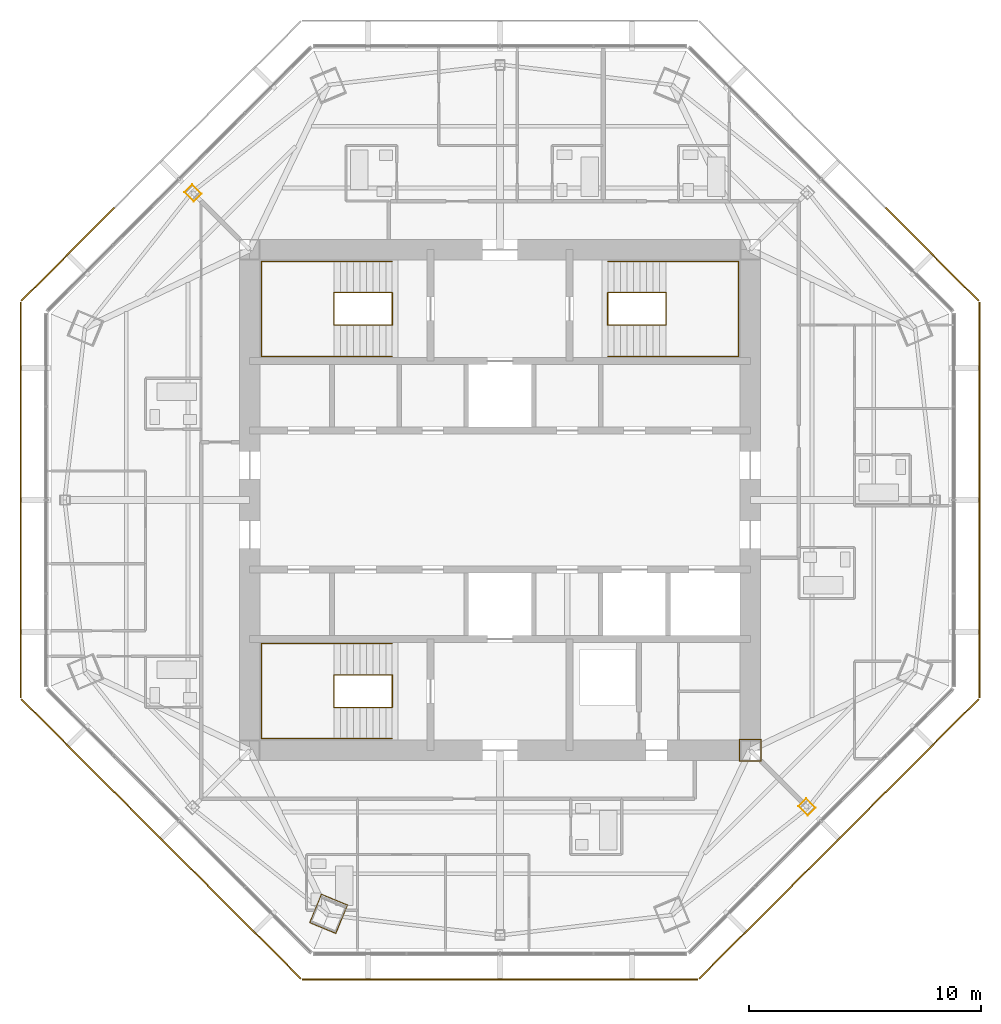
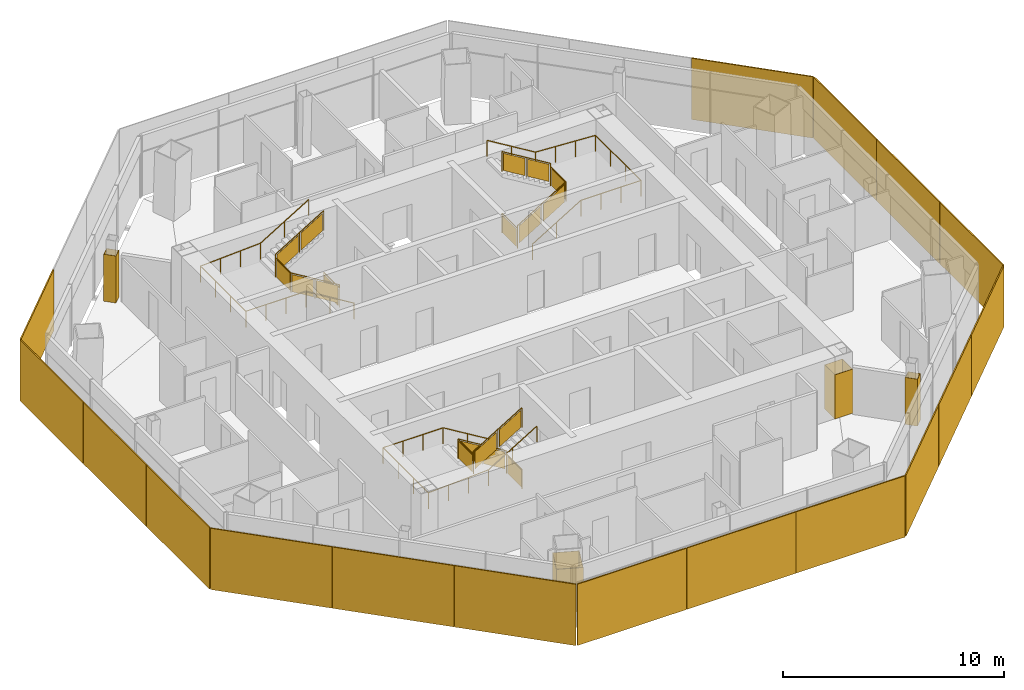
# One storey, part 13 of 15: 17 shading devices, 6 railings, 4 coverings.
"""IFC4 building model written with IfcOpenShell, lengths in metres."""

import ifcopenshell
import ifcopenshell.guid

model = None  # the IFC model being written
_history = None  # IfcOwnerHistory: only IFC2X3 demands one
_inside = {}  # id of a spatial element -> (the spatial element, [elements in it])
_under = {}  # id of a project, library or spatial element -> (it, [spatial elements below it])
_declared = {}  # id of a project -> (the project, [libraries it declares])
_typed = {}  # id of a type object -> (the type object, [elements of that type])
_made_of = {}  # id of a material, layer set ... -> (it, [elements and type objects made of it])


def new_model(schema):
    """Start an empty IFC model of exactly this schema.

    Asked for "IFC4X3", IfcOpenShell would pick the latest addendum, in which some entities
    have other attributes; the version numbers below select the first issue.
    IFC2X3 requires an IfcOwnerHistory on every rooted entity: one is made here for all.
    """
    global model, _history
    if schema == "IFC4X3":
        model = ifcopenshell.file(schema_version=(4, 3, 0, 0))
    else:
        model = ifcopenshell.file(schema=schema)
    _inside.clear()
    _under.clear()
    _declared.clear()
    _typed.clear()
    _made_of.clear()
    _history = None
    if model.schema == "IFC2X3":
        org = make("IfcOrganization", Name="unknown")
        user = make(
            "IfcPersonAndOrganization",
            ThePerson=make("IfcPerson", FamilyName="unknown"),
            TheOrganization=org,
        )
        app = make(
            "IfcApplication",
            ApplicationDeveloper=org,
            Version="unknown",
            ApplicationFullName="unknown",
            ApplicationIdentifier="unknown",
        )
        _history = make(
            "IfcOwnerHistory",
            OwningUser=user,
            OwningApplication=app,
            ChangeAction="ADDED",
            CreationDate=0,
        )
    return model


def make(cls, **values):
    """One entity of the class cls with the attributes given. An attribute that is None is left unset."""
    return model.create_entity(
        cls, **{name: value for name, value in values.items() if value is not None}
    )


def rooted(cls, **values):
    """An entity with a GlobalId (a new one), such as an element, a storey or a relation."""
    return make(cls, GlobalId=ifcopenshell.guid.new(), OwnerHistory=_history, **values)


def si_unit(unit_type, name, prefix=None):
    """IfcSIUnit, for example si_unit("LENGTHUNIT", "METRE", prefix="MILLI")."""
    return make("IfcSIUnit", UnitType=unit_type, Prefix=prefix, Name=name)


def assignment(units):
    """IfcUnitAssignment: the units of a project."""
    return None if units is None else make("IfcUnitAssignment", Units=units)


def point(xyz):
    """IfcCartesianPoint."""
    return None if xyz is None else make("IfcCartesianPoint", Coordinates=xyz)


def direction(xyz):
    """IfcDirection."""
    return None if xyz is None else make("IfcDirection", DirectionRatios=xyz)


def frame(location, z_axis=None, x_axis=None):
    """IfcAxis2Placement3D, a coordinate frame: its origin and axes. An axis left out is left unset."""
    return make(
        "IfcAxis2Placement3D",
        Location=point(location),
        Axis=direction(z_axis),
        RefDirection=direction(x_axis),
    )


def frame_2d(location, x_axis=None):
    """IfcAxis2Placement2D, a coordinate frame in the plane: its origin and x axis."""
    return make(
        "IfcAxis2Placement2D", Location=point(location), RefDirection=direction(x_axis)
    )


def origin():
    """The frame at (0, 0, 0) with its axes left unset."""
    return frame((0.0, 0.0, 0.0))


def origin_2d():
    """The frame at (0, 0) in the plane with its x axis left unset."""
    return frame_2d((0.0, 0.0))


def place(relative_to, where):
    """IfcLocalPlacement: puts the frame where relative to a parent placement (None: the world)."""
    return make(
        "IfcLocalPlacement", PlacementRelTo=relative_to, RelativePlacement=where
    )


def context(
    kind, dimensions, precision=None, world=None, true_north=None, identifier=None
):
    """IfcGeometricRepresentationContext, for example the 3D "Model" context."""
    return make(
        "IfcGeometricRepresentationContext",
        ContextIdentifier=identifier,
        ContextType=kind,
        CoordinateSpaceDimension=dimensions,
        Precision=precision,
        WorldCoordinateSystem=world,
        TrueNorth=true_north,
    )


def subcontext(parent, identifier, kind, view, scale=None):
    """IfcGeometricRepresentationSubContext, for example "Body" below "Model"."""
    return make(
        "IfcGeometricRepresentationSubContext",
        ContextIdentifier=identifier,
        ContextType=kind,
        ParentContext=parent,
        TargetScale=scale,
        TargetView=view,
    )


def project(units=None, contexts=None):
    """IfcProject with its units and contexts."""
    return rooted(
        "IfcProject",
        Name="project",
        RepresentationContexts=contexts,
        UnitsInContext=assignment(units),
    )


def spatial(cls, under=None, at=None, **own):
    """A site, building, storey or space (cls), placed at a placement, below another one or the project."""
    s = rooted(cls, ObjectPlacement=at, **own)
    if under is not None:
        _under.setdefault(under.id(), (under, []))[1].append(s)
    return s


def polyline(points):
    """IfcPolyline through the points."""
    return make("IfcPolyline", Points=[point(p) for p in points])


def profile(cls, at=None, kind="AREA", **sizes):
    """A parametric profile (cls). Its sizes go by their IFC names, for example OverallWidth=200.0."""
    return make(cls, ProfileType=kind, Position=at, **sizes)


def rectangle(**sizes):
    """IfcRectangleProfileDef."""
    return profile("IfcRectangleProfileDef", **sizes)


def circle(**sizes):
    """IfcCircleProfileDef."""
    return profile("IfcCircleProfileDef", **sizes)


def outline(outer, holes=None, kind="AREA"):
    """IfcArbitraryClosedProfileDef: a profile drawn as a closed curve; with holes, ...WithVoids."""
    if holes is None:
        return make("IfcArbitraryClosedProfileDef", ProfileType=kind, OuterCurve=outer)
    return make(
        "IfcArbitraryProfileDefWithVoids",
        ProfileType=kind,
        OuterCurve=outer,
        InnerCurves=holes,
    )


def extrude(swept, where, along, depth):
    """IfcExtrudedAreaSolid: the profile swept, set in the frame where, extruded along a direction by depth."""
    return make(
        "IfcExtrudedAreaSolid",
        SweptArea=swept,
        Position=where,
        ExtrudedDirection=direction(along),
        Depth=depth,
    )


def shape(context_of_items, identifier, shape_type, items):
    """IfcShapeRepresentation: the items that make up one representation, for example the "Body"."""
    return make(
        "IfcShapeRepresentation",
        ContextOfItems=context_of_items,
        RepresentationIdentifier=identifier,
        RepresentationType=shape_type,
        Items=items,
    )


def source(mapping_origin, context_of_items, identifier, shape_type, items):
    """IfcRepresentationMap: a shape defined once, which mapped items show again and again."""
    return make(
        "IfcRepresentationMap",
        MappingOrigin=mapping_origin,
        MappedRepresentation=shape(context_of_items, identifier, shape_type, items),
    )


def transform(
    local_origin,
    x_axis=None,
    y_axis=None,
    z_axis=None,
    scale=None,
    scale2=None,
    scale3=None,
    uniform=True,
):
    """IfcCartesianTransformationOperator3D, or its non-uniform kind. x_axis, y_axis, z_axis: its Axis1, 2, 3."""
    if uniform:
        return make(
            "IfcCartesianTransformationOperator3D",
            Axis1=direction(x_axis),
            Axis2=direction(y_axis),
            LocalOrigin=point(local_origin),
            Scale=scale,
            Axis3=direction(z_axis),
        )
    return make(
        "IfcCartesianTransformationOperator3DnonUniform",
        Axis1=direction(x_axis),
        Axis2=direction(y_axis),
        LocalOrigin=point(local_origin),
        Scale=scale,
        Axis3=direction(z_axis),
        Scale2=scale2,
        Scale3=scale3,
    )


def mapped(mapping_source, mapping_target):
    """IfcMappedItem: shows the shape of a source again, moved by a transform."""
    return make(
        "IfcMappedItem", MappingSource=mapping_source, MappingTarget=mapping_target
    )


def material(Name=None, Category=None):
    """IfcMaterial."""
    return make("IfcMaterial", Name=Name, Category=Category)


def layer(
    of_material, thickness, ventilated=None, Name=None, Category=None, Priority=None
):
    """IfcMaterialLayer: one layer of a wall or slab, of a material (None: an air gap)."""
    return make(
        "IfcMaterialLayer",
        Material=of_material,
        LayerThickness=thickness,
        IsVentilated=ventilated,
        Name=Name,
        Category=Category,
        Priority=Priority,
    )


def layer_set(layers, Name=None):
    """IfcMaterialLayerSet."""
    return make("IfcMaterialLayerSet", MaterialLayers=layers, LayerSetName=Name)


def made_of(thing, what):
    """Note that an element or type object is made of a material, layer set ...; save() writes the relation."""
    if what is not None:
        _made_of.setdefault(what.id(), (what, []))[1].append(thing)
    return thing


def type_object(cls, material=None, **own):
    """A type object (cls), such as IfcWallType, which elements share."""
    return made_of(rooted(cls, **own), material)


def type_shapes(of_type, sources):
    """Give a type object the sources (RepresentationMaps) that its elements show as mapped items."""
    of_type.RepresentationMaps = sources


def element(
    cls,
    number,
    at=None,
    inside=None,
    cuts=None,
    type_object=None,
    material=None,
    context=None,
    identifier="Body",
    shape_type=None,
    held_by="IfcProductDefinitionShape",
    body=None,
    shapes=None,
    **own,
):
    """One element of the class cls, such as IfcWall. Its Tag is "e" and its number.

    at: its placement. inside: the storey or other place that contains it. cuts: it is an
    opening in that element (IfcRelVoidsElement). A single representation is given by context,
    identifier, shape_type and body (its items); several are given by shapes. held_by: the class
    of the entity that holds the representations. save() writes the other relations.
    """
    e = rooted(cls, Tag="e%d" % number, ObjectPlacement=at, **own)
    if body is not None:
        shapes = [shape(context, identifier, shape_type, body)]
    if shapes is not None:
        e.Representation = make(held_by, Representations=shapes)
    if inside is not None:
        _inside.setdefault(inside.id(), (inside, []))[1].append(e)
    if cuts is not None:
        rooted(
            "IfcRelVoidsElement", RelatingBuildingElement=cuts, RelatedOpeningElement=e
        )
    if type_object is not None:
        _typed.setdefault(type_object.id(), (type_object, []))[1].append(e)
    return made_of(e, material)


def aggregate(whole, parts):
    """IfcRelAggregates: a whole, such as a stair, and the parts it consists of."""
    return rooted("IfcRelAggregates", RelatingObject=whole, RelatedObjects=parts)


def save(model, path):
    """Write the relations noted so far, then the file.

    IfcRelAggregates (storeys below a building ...), IfcRelContainedInSpatialStructure (elements
    in a storey), IfcRelDefinesByType, IfcRelAssociatesMaterial and IfcRelDeclares: one each for
    every whole, place, type object, material and project.
    """
    for whole, parts in _under.values():
        aggregate(whole, parts)
    for where, things in _inside.values():
        rooted(
            "IfcRelContainedInSpatialStructure",
            RelatedElements=things,
            RelatingStructure=where,
        )
    for kind, things in _typed.values():
        rooted("IfcRelDefinesByType", RelatedObjects=things, RelatingType=kind)
    for what, things in _made_of.values():
        rooted("IfcRelAssociatesMaterial", RelatedObjects=things, RelatingMaterial=what)
    for by, libraries in _declared.values():
        rooted("IfcRelDeclares", RelatingContext=by, RelatedDefinitions=libraries)
    model.write(path)


model = new_model("IFC4")

# Units and contexts
model_context = context("Model", 3, precision=1e-05, world=origin(), true_north=direction((0.0, 1.0)))
body_context = subcontext(model_context, "Body", "Model", "MODEL_VIEW")
ifc_project = project(units=[si_unit("LENGTHUNIT", "METRE"), si_unit("AREAUNIT", "SQUARE_METRE"), si_unit("VOLUMEUNIT", "CUBIC_METRE"), si_unit("PLANEANGLEUNIT", "RADIAN"), si_unit("MASSUNIT", "GRAM", prefix="KILO")], contexts=[model_context])

# Site, building, storey
site_placement = place(None, origin())
site = spatial("IfcSite", under=ifc_project, at=site_placement, CompositionType="ELEMENT")
building_placement = place(site_placement, origin())
building = spatial("IfcBuilding", under=site, at=building_placement, Name="Mashrafa Tower", CompositionType="ELEMENT")
storey_placement = place(building_placement, frame((0.0, 0.0, 298.0)))
storey = spatial("IfcBuildingStorey", under=building, at=storey_placement, Name="L73", CompositionType="ELEMENT", Elevation=298.0)

# Coverings
ifc_material_1 = material(Name="Gypsum board")
ifc_layer_1 = layer(ifc_material_1, 0.014892578125)
ifc_layer_set_1 = layer_set([ifc_layer_1], Name="Column casing plasterboard 15")
covering_type = type_object("IfcCoveringType", Name="Column casing plasterboard 15", PredefinedType="CLADDING", material=ifc_layer_set_1)
covering_1_placement = place(storey_placement, origin())
element("IfcCovering", 1, at=covering_1_placement, inside=storey, type_object=covering_type, Name="Column casing L73-001", PredefinedType="CLADDING", context=body_context, shape_type="SweptSolid", body=[
    extrude(outline(polyline([(-8.220703125, -18.239501953125), (-8.17529296875, -18.129638671875), (-7.755615234375, -17.11669921875), (-7.7099609375, -17.006591796875), (-6.573486328125, -17.477294921875), (-7.038818359375, -18.600341796875), (-7.08447265625, -18.710205078125), (-8.220703125, -18.239501953125)]), holes=[polyline([(-7.052734375, -18.594482421875), (-6.59326171875, -17.4853515625), (-7.701904296875, -17.026123046875), (-7.74169921875, -17.122314453125), (-8.161376953125, -18.13525390625), (-8.201171875, -18.2314453125), (-7.092529296875, -18.690673828125), (-7.052734375, -18.594482421875)])]), origin(), (0.0, 0.0, 1.0), 2.435546875),
])
covering_2_placement = place(storey_placement, origin())
element("IfcCovering", 2, at=covering_2_placement, inside=storey, type_object=covering_type, Name="Column casing L73-002", PredefinedType="CLADDING", context=body_context, shape_type="SweptSolid", body=[
    extrude(outline(polyline([(-13.622314453125, 13.282958984375), (-13.282958984375, 13.622314453125), (-12.875244140625, 13.214599609375), (-13.214599609375, 12.875244140625), (-13.622314453125, 13.282958984375)]), holes=[polyline([(-12.896484375, 13.214599609375), (-13.282958984375, 13.60107421875), (-13.60107421875, 13.282958984375), (-13.214599609375, 12.896484375), (-12.896484375, 13.214599609375)])]), origin(), (0.0, 0.0, 1.0), 2.590576171875),
])
covering_3_placement = place(storey_placement, origin())
element("IfcCovering", 3, at=covering_3_placement, inside=storey, type_object=covering_type, Name="Column casing L73-003", PredefinedType="CLADDING", context=body_context, shape_type="SweptSolid", body=[
    extrude(outline(polyline([(12.875244140625, -13.214599609375), (13.214599609375, -12.875244140625), (13.622314453125, -13.282958984375), (13.282958984375, -13.622314453125), (12.875244140625, -13.214599609375)]), holes=[polyline([(13.60107421875, -13.282958984375), (13.214599609375, -12.896484375), (12.896484375, -13.214599609375), (13.282958984375, -13.60107421875), (13.60107421875, -13.282958984375)])]), origin(), (0.0, 0.0, 1.0), 2.590576171875),
])
covering_4_placement = place(storey_placement, origin())
element("IfcCovering", 4, at=covering_4_placement, inside=storey, type_object=covering_type, Name="Column casing L73-004", PredefinedType="CLADDING", context=body_context, shape_type="SweptSolid", body=[
    extrude(outline(polyline([(10.3349609375, -10.3349609375), (11.264892578125, -10.3349609375), (11.264892578125, -11.264892578125), (10.3349609375, -11.264892578125), (10.3349609375, -10.3349609375)]), holes=[polyline([(11.25, -11.25), (11.25, -10.35009765625), (10.35009765625, -10.35009765625), (10.35009765625, -11.25), (11.25, -11.25)])]), origin(), (0.0, 0.0, 1.0), 2.435546875),
])

# Railings
ifc_material_2 = material(Name="Steel guard with glass infill", Category="steel")
railing_type_1 = type_object("IfcRailingType", Name="Stair guard 1100", PredefinedType="GUARDRAIL", material=ifc_material_2)
railing_1_placement = place(storey_placement, frame((-4.64990234375, 8.949951171875, 0.0)))
element("IfcRailing", 5, at=railing_1_placement, inside=storey, type_object=railing_type_1, Name="Stair S1 guard L73", PredefinedType="GUARDRAIL", context=body_context, shape_type="SweptSolid", body=[
    extrude(circle(Radius=0.02392578125, at=origin_2d()), frame((0.0, 0.0, 1.076171875), z_axis=(0.0, -1.0, 0.0), x_axis=(1.0, 0.0, 0.0)), (0.0, 0.0, 1.0), 1.39990234375),
    extrude(circle(Radius=0.02392578125, at=origin_2d()), frame((0.0, -1.39990234375, 1.076171875), z_axis=(0.0, 0.0, 1.0), x_axis=(1.0, 0.0, 0.0)), (0.0, 0.0, 1.0), 0.169921875),
    extrude(circle(Radius=0.02392578125, at=origin_2d()), frame((0.0, -1.39990234375, 1.24609375), z_axis=(-0.85478489116, 0.0, 0.518982456201), x_axis=(0.0, -1.0, 0.0)), (0.0, 0.0, 1.0), 2.9482421875),
    extrude(circle(Radius=0.02392578125, at=origin_2d()), frame((-2.52001953125, -1.39990234375, 2.77587890625), z_axis=(0.0, 1.0, 0.0), x_axis=(-1.0, 0.0, 0.0)), (0.0, 0.0, 1.0), 1.39990234375),
    extrude(circle(Radius=0.02392578125, at=origin_2d()), frame((-2.52001953125, 0.0, 2.77587890625), z_axis=(0.0, 0.0, 1.0), x_axis=(1.0, 0.0, 0.0)), (0.0, 0.0, 1.0), 0.170166015625),
    extrude(circle(Radius=0.02392578125, at=origin_2d()), frame((-2.52001953125, 0.0, 2.9462890625), z_axis=(0.854821627497, 0.0, 0.518921945155), x_axis=(0.0, 1.0, 0.0)), (0.0, 0.0, 1.0), 2.947998046875),
    extrude(circle(Radius=0.02099609375, at=origin_2d()), origin(), (0.0, 0.0, 1.0), 1.052001953125),
    extrude(circle(Radius=0.02099609375, at=origin_2d()), frame((0.0, -1.39990234375, 0.0)), (0.0, 0.0, 1.0), 1.052001953125),
    extrude(circle(Radius=0.02099609375, at=origin_2d()), frame((0.0, -1.39990234375, 0.169921875)), (0.0, 0.0, 1.0), 1.052001953125),
    extrude(circle(Radius=0.02099609375, at=origin_2d()), frame((-1.260009765625, -1.39990234375, 0.93505859375)), (0.0, 0.0, 1.0), 1.052001953125),
    extrude(circle(Radius=0.02099609375, at=origin_2d()), frame((-2.52001953125, -1.39990234375, 1.699951171875)), (0.0, 0.0, 1.0), 1.052001953125),
    extrude(circle(Radius=0.02099609375, at=origin_2d()), frame((-2.52001953125, 0.0, 1.699951171875)), (0.0, 0.0, 1.0), 1.052001953125),
    extrude(circle(Radius=0.02099609375, at=origin_2d()), frame((-2.52001953125, 0.0, 1.8701171875)), (0.0, 0.0, 1.0), 1.052001953125),
    extrude(circle(Radius=0.02099609375, at=origin_2d()), frame((-1.260009765625, 0.0, 2.635009765625)), (0.0, 0.0, 1.0), 1.052001953125),
    extrude(circle(Radius=0.02099609375, at=origin_2d()), frame((0.0, 0.0, 3.39990234375)), (0.0, 0.0, 1.0), 1.052001953125),
    extrude(outline(polyline([(0.071044921875, 0.050048828125), (1.328857421875, 0.050048828125), (1.328857421875, 1.001953125), (0.071044921875, 1.001953125), (0.071044921875, 0.050048828125)])), frame((-0.006103515625, 0.0, 0.0), z_axis=(-1.0, 0.0, 0.0), x_axis=(0.0, -1.0, 0.0)), (0.0, 0.0, 1.0), 0.011962890625),
    extrude(outline(polyline([(0.071044921875, 0.093017578125), (1.18896484375, 0.77197265625), (1.18896484375, 1.723876953125), (0.071044921875, 1.045166015625), (0.071044921875, 0.093017578125)])), frame((0.0, -1.393798828125, 0.169921875), z_axis=(0.0, 1.0, 0.0), x_axis=(-1.0, 0.0, 0.0)), (0.0, 0.0, 1.0), 0.011962890625),
    extrude(outline(polyline([(1.3310546875, 0.858154296875), (2.448974609375, 1.536865234375), (2.448974609375, 2.489013671875), (1.3310546875, 1.81005859375), (1.3310546875, 0.858154296875)])), frame((0.0, -1.393798828125, 0.169921875), z_axis=(0.0, 1.0, 0.0), x_axis=(-1.0, 0.0, 0.0)), (0.0, 0.0, 1.0), 0.011962890625),
    extrude(outline(polyline([(0.071044921875, 0.050048828125), (1.328857421875, 0.050048828125), (1.328857421875, 1.001953125), (0.071044921875, 1.001953125), (0.071044921875, 0.050048828125)])), frame((-2.513916015625, -1.39990234375, 1.699951171875), z_axis=(1.0, 0.0, 0.0), x_axis=(0.0, 1.0, 0.0)), (0.0, 0.0, 1.0), 0.011962890625),
    extrude(outline(polyline([(0.071044921875, 0.093017578125), (1.18896484375, 0.771728515625), (1.18896484375, 1.723876953125), (0.071044921875, 1.045166015625), (0.071044921875, 0.093017578125)])), frame((-2.52001953125, -0.006103515625, 1.8701171875), z_axis=(0.0, -1.0, 0.0), x_axis=(1.0, 0.0, 0.0)), (0.0, 0.0, 1.0), 0.011962890625),
    extrude(outline(polyline([(1.3310546875, 0.85791015625), (2.448974609375, 1.53662109375), (2.448974609375, 2.48876953125), (1.3310546875, 1.81005859375), (1.3310546875, 0.85791015625)])), frame((-2.52001953125, -0.006103515625, 1.8701171875), z_axis=(0.0, -1.0, 0.0), x_axis=(1.0, 0.0, 0.0)), (0.0, 0.0, 1.0), 0.011962890625),
])
railing_2_placement = place(storey_placement, frame((4.64990234375, 8.949951171875, 0.0)))
element("IfcRailing", 6, at=railing_2_placement, inside=storey, type_object=railing_type_1, Name="Stair S2 guard L73", PredefinedType="GUARDRAIL", context=body_context, shape_type="SweptSolid", body=[
    extrude(circle(Radius=0.02392578125, at=origin_2d()), frame((0.0, 0.0, 1.076171875), z_axis=(0.0, -1.0, 0.0), x_axis=(1.0, 0.0, 0.0)), (0.0, 0.0, 1.0), 1.39990234375),
    extrude(circle(Radius=0.02392578125, at=origin_2d()), frame((0.0, -1.39990234375, 1.076171875), z_axis=(0.0, 0.0, 1.0), x_axis=(1.0, 0.0, 0.0)), (0.0, 0.0, 1.0), 0.169921875),
    extrude(circle(Radius=0.02392578125, at=origin_2d()), frame((0.0, -1.39990234375, 1.24609375), z_axis=(0.85478489116, 0.0, 0.518982456201), x_axis=(0.0, 1.0, 0.0)), (0.0, 0.0, 1.0), 2.9482421875),
    extrude(circle(Radius=0.02392578125, at=origin_2d()), frame((2.52001953125, -1.39990234375, 2.77587890625), z_axis=(0.0, 1.0, 0.0), x_axis=(-1.0, 0.0, 0.0)), (0.0, 0.0, 1.0), 1.39990234375),
    extrude(circle(Radius=0.02392578125, at=origin_2d()), frame((2.52001953125, 0.0, 2.77587890625), z_axis=(0.0, 0.0, 1.0), x_axis=(1.0, 0.0, 0.0)), (0.0, 0.0, 1.0), 0.170166015625),
    extrude(circle(Radius=0.02392578125, at=origin_2d()), frame((2.52001953125, 0.0, 2.9462890625), z_axis=(-0.854821627497, 0.0, 0.518921945155), x_axis=(0.0, -1.0, 0.0)), (0.0, 0.0, 1.0), 2.947998046875),
    extrude(circle(Radius=0.02099609375, at=origin_2d()), origin(), (0.0, 0.0, 1.0), 1.052001953125),
    extrude(circle(Radius=0.02099609375, at=origin_2d()), frame((0.0, -1.39990234375, 0.0)), (0.0, 0.0, 1.0), 1.052001953125),
    extrude(circle(Radius=0.02099609375, at=origin_2d()), frame((0.0, -1.39990234375, 0.169921875)), (0.0, 0.0, 1.0), 1.052001953125),
    extrude(circle(Radius=0.02099609375, at=origin_2d()), frame((1.260009765625, -1.39990234375, 0.93505859375)), (0.0, 0.0, 1.0), 1.052001953125),
    extrude(circle(Radius=0.02099609375, at=origin_2d()), frame((2.52001953125, -1.39990234375, 1.699951171875)), (0.0, 0.0, 1.0), 1.052001953125),
    extrude(circle(Radius=0.02099609375, at=origin_2d()), frame((2.52001953125, 0.0, 1.699951171875)), (0.0, 0.0, 1.0), 1.052001953125),
    extrude(circle(Radius=0.02099609375, at=origin_2d()), frame((2.52001953125, 0.0, 1.8701171875)), (0.0, 0.0, 1.0), 1.052001953125),
    extrude(circle(Radius=0.02099609375, at=origin_2d()), frame((1.260009765625, 0.0, 2.635009765625)), (0.0, 0.0, 1.0), 1.052001953125),
    extrude(circle(Radius=0.02099609375, at=origin_2d()), frame((0.0, 0.0, 3.39990234375)), (0.0, 0.0, 1.0), 1.052001953125),
    extrude(outline(polyline([(0.071044921875, 0.050048828125), (1.328857421875, 0.050048828125), (1.328857421875, 1.001953125), (0.071044921875, 1.001953125), (0.071044921875, 0.050048828125)])), frame((-0.006103515625, 0.0, 0.0), z_axis=(-1.0, 0.0, 0.0), x_axis=(0.0, -1.0, 0.0)), (0.0, 0.0, 1.0), 0.011962890625),
    extrude(outline(polyline([(0.071044921875, 0.093017578125), (1.18896484375, 0.77197265625), (1.18896484375, 1.723876953125), (0.071044921875, 1.045166015625), (0.071044921875, 0.093017578125)])), frame((0.0, -1.406005859375, 0.169921875), z_axis=(0.0, -1.0, 0.0), x_axis=(1.0, 0.0, 0.0)), (0.0, 0.0, 1.0), 0.011962890625),
    extrude(outline(polyline([(1.3310546875, 0.858154296875), (2.448974609375, 1.536865234375), (2.448974609375, 2.489013671875), (1.3310546875, 1.81005859375), (1.3310546875, 0.858154296875)])), frame((0.0, -1.406005859375, 0.169921875), z_axis=(0.0, -1.0, 0.0), x_axis=(1.0, 0.0, 0.0)), (0.0, 0.0, 1.0), 0.011962890625),
    extrude(outline(polyline([(0.071044921875, 0.050048828125), (1.328857421875, 0.050048828125), (1.328857421875, 1.001953125), (0.071044921875, 1.001953125), (0.071044921875, 0.050048828125)])), frame((2.526123046875, -1.39990234375, 1.699951171875), z_axis=(1.0, 0.0, 0.0), x_axis=(0.0, 1.0, 0.0)), (0.0, 0.0, 1.0), 0.011962890625),
    extrude(outline(polyline([(0.071044921875, 0.093017578125), (1.18896484375, 0.771728515625), (1.18896484375, 1.723876953125), (0.071044921875, 1.045166015625), (0.071044921875, 0.093017578125)])), frame((2.52001953125, 0.006103515625, 1.8701171875), z_axis=(0.0, 1.0, 0.0), x_axis=(-1.0, 0.0, 0.0)), (0.0, 0.0, 1.0), 0.011962890625),
    extrude(outline(polyline([(1.3310546875, 0.85791015625), (2.448974609375, 1.53662109375), (2.448974609375, 2.48876953125), (1.3310546875, 1.81005859375), (1.3310546875, 0.85791015625)])), frame((2.52001953125, 0.006103515625, 1.8701171875), z_axis=(0.0, 1.0, 0.0), x_axis=(-1.0, 0.0, 0.0)), (0.0, 0.0, 1.0), 0.011962890625),
])
railing_3_placement = place(storey_placement, frame((-4.64990234375, -8.949951171875, 0.0)))
element("IfcRailing", 7, at=railing_3_placement, inside=storey, type_object=railing_type_1, Name="Stair S3 guard L73", PredefinedType="GUARDRAIL", context=body_context, shape_type="SweptSolid", body=[
    extrude(circle(Radius=0.02392578125, at=origin_2d()), frame((0.0, 0.0, 1.076171875), z_axis=(0.0, 1.0, 0.0), x_axis=(-1.0, 0.0, 0.0)), (0.0, 0.0, 1.0), 1.39990234375),
    extrude(circle(Radius=0.02392578125, at=origin_2d()), frame((0.0, 1.39990234375, 1.076171875), z_axis=(0.0, 0.0, 1.0), x_axis=(1.0, 0.0, 0.0)), (0.0, 0.0, 1.0), 0.169921875),
    extrude(circle(Radius=0.02392578125, at=origin_2d()), frame((0.0, 1.39990234375, 1.24609375), z_axis=(-0.85478489116, 0.0, 0.518982456201), x_axis=(0.0, -1.0, 0.0)), (0.0, 0.0, 1.0), 2.9482421875),
    extrude(circle(Radius=0.02392578125, at=origin_2d()), frame((-2.52001953125, 1.39990234375, 2.77587890625), z_axis=(0.0, -1.0, 0.0), x_axis=(1.0, 0.0, 0.0)), (0.0, 0.0, 1.0), 1.39990234375),
    extrude(circle(Radius=0.02392578125, at=origin_2d()), frame((-2.52001953125, 0.0, 2.77587890625), z_axis=(0.0, 0.0, 1.0), x_axis=(1.0, 0.0, 0.0)), (0.0, 0.0, 1.0), 0.170166015625),
    extrude(circle(Radius=0.02392578125, at=origin_2d()), frame((-2.52001953125, 0.0, 2.9462890625), z_axis=(0.854821627497, 0.0, 0.518921945155), x_axis=(0.0, 1.0, 0.0)), (0.0, 0.0, 1.0), 2.947998046875),
    extrude(circle(Radius=0.02099609375, at=origin_2d()), origin(), (0.0, 0.0, 1.0), 1.052001953125),
    extrude(circle(Radius=0.02099609375, at=origin_2d()), frame((0.0, 1.39990234375, 0.0)), (0.0, 0.0, 1.0), 1.052001953125),
    extrude(circle(Radius=0.02099609375, at=origin_2d()), frame((0.0, 1.39990234375, 0.169921875)), (0.0, 0.0, 1.0), 1.052001953125),
    extrude(circle(Radius=0.02099609375, at=origin_2d()), frame((-1.260009765625, 1.39990234375, 0.93505859375)), (0.0, 0.0, 1.0), 1.052001953125),
    extrude(circle(Radius=0.02099609375, at=origin_2d()), frame((-2.52001953125, 1.39990234375, 1.699951171875)), (0.0, 0.0, 1.0), 1.052001953125),
    extrude(circle(Radius=0.02099609375, at=origin_2d()), frame((-2.52001953125, 0.0, 1.699951171875)), (0.0, 0.0, 1.0), 1.052001953125),
    extrude(circle(Radius=0.02099609375, at=origin_2d()), frame((-2.52001953125, 0.0, 1.8701171875)), (0.0, 0.0, 1.0), 1.052001953125),
    extrude(circle(Radius=0.02099609375, at=origin_2d()), frame((-1.260009765625, 0.0, 2.635009765625)), (0.0, 0.0, 1.0), 1.052001953125),
    extrude(circle(Radius=0.02099609375, at=origin_2d()), frame((0.0, 0.0, 3.39990234375)), (0.0, 0.0, 1.0), 1.052001953125),
    extrude(outline(polyline([(0.071044921875, 0.050048828125), (1.328857421875, 0.050048828125), (1.328857421875, 1.001953125), (0.071044921875, 1.001953125), (0.071044921875, 0.050048828125)])), frame((0.006103515625, 0.0, 0.0), z_axis=(1.0, 0.0, 0.0), x_axis=(0.0, 1.0, 0.0)), (0.0, 0.0, 1.0), 0.011962890625),
    extrude(outline(polyline([(0.071044921875, 0.093017578125), (1.18896484375, 0.77197265625), (1.18896484375, 1.723876953125), (0.071044921875, 1.045166015625), (0.071044921875, 0.093017578125)])), frame((0.0, 1.406005859375, 0.169921875), z_axis=(0.0, 1.0, 0.0), x_axis=(-1.0, 0.0, 0.0)), (0.0, 0.0, 1.0), 0.011962890625),
    extrude(outline(polyline([(1.3310546875, 0.858154296875), (2.448974609375, 1.536865234375), (2.448974609375, 2.489013671875), (1.3310546875, 1.81005859375), (1.3310546875, 0.858154296875)])), frame((0.0, 1.406005859375, 0.169921875), z_axis=(0.0, 1.0, 0.0), x_axis=(-1.0, 0.0, 0.0)), (0.0, 0.0, 1.0), 0.011962890625),
    extrude(outline(polyline([(0.071044921875, 0.050048828125), (1.328857421875, 0.050048828125), (1.328857421875, 1.001953125), (0.071044921875, 1.001953125), (0.071044921875, 0.050048828125)])), frame((-2.526123046875, 1.39990234375, 1.699951171875), z_axis=(-1.0, 0.0, 0.0), x_axis=(0.0, -1.0, 0.0)), (0.0, 0.0, 1.0), 0.011962890625),
    extrude(outline(polyline([(0.071044921875, 0.093017578125), (1.18896484375, 0.771728515625), (1.18896484375, 1.723876953125), (0.071044921875, 1.045166015625), (0.071044921875, 0.093017578125)])), frame((-2.52001953125, -0.006103515625, 1.8701171875), z_axis=(0.0, -1.0, 0.0), x_axis=(1.0, 0.0, 0.0)), (0.0, 0.0, 1.0), 0.011962890625),
    extrude(outline(polyline([(1.3310546875, 0.85791015625), (2.448974609375, 1.53662109375), (2.448974609375, 2.48876953125), (1.3310546875, 1.81005859375), (1.3310546875, 0.85791015625)])), frame((-2.52001953125, -0.006103515625, 1.8701171875), z_axis=(0.0, -1.0, 0.0), x_axis=(1.0, 0.0, 0.0)), (0.0, 0.0, 1.0), 0.011962890625),
])
ifc_material_3 = material(Name="Steel", Category="steel")
railing_type_2 = type_object("IfcRailingType", Name="Stair handrail 900", PredefinedType="HANDRAIL", material=ifc_material_3)
railing_4_placement = place(storey_placement, frame((-4.64990234375, 6.199951171875, 0.169921875)))
element("IfcRailing", 8, at=railing_4_placement, inside=storey, type_object=railing_type_2, Name="Stair S1 handrail L73", PredefinedType="HANDRAIL", context=body_context, shape_type="SweptSolid", body=[
    extrude(circle(Radius=0.02392578125, at=origin_2d()), frame((0.0, 0.0, 0.8759765625), z_axis=(-0.85478489116, 0.0, 0.518982456201), x_axis=(0.0, -1.0, 0.0)), (0.0, 0.0, 1.0), 2.9482421875),
    extrude(circle(Radius=0.02392578125, at=origin_2d()), frame((-2.52001953125, 0.0, 2.40576171875), z_axis=(-1.0, 0.0, 0.0), x_axis=(0.0, -1.0, 0.0)), (0.0, 0.0, 1.0), 3.130126953125),
    extrude(circle(Radius=0.02392578125, at=origin_2d()), frame((-5.650146484375, 0.0, 2.40576171875), z_axis=(0.0, 1.0, 0.0), x_axis=(-1.0, 0.0, 0.0)), (0.0, 0.0, 1.0), 4.10009765625),
    extrude(circle(Radius=0.02392578125, at=origin_2d()), frame((-5.650146484375, 4.10009765625, 2.40576171875), z_axis=(0.998525548763, 0.0, 0.054283777201), x_axis=(0.0, 1.0, 0.0)), (0.0, 0.0, 1.0), 3.134765625),
    extrude(circle(Radius=0.02392578125, at=origin_2d()), frame((-2.52001953125, 4.10009765625, 2.576171875), z_axis=(0.854821627497, 0.0, 0.518921945155), x_axis=(0.0, 1.0, 0.0)), (0.0, 0.0, 1.0), 2.947998046875),
    extrude(circle(Radius=0.02099609375, at=origin_2d()), origin(), (0.0, 0.0, 1.0), 0.851806640625),
    extrude(circle(Radius=0.02099609375, at=origin_2d()), frame((-1.260009765625, 0.0, 0.76513671875)), (0.0, 0.0, 1.0), 0.851806640625),
    extrude(circle(Radius=0.02099609375, at=origin_2d()), frame((-2.52001953125, 0.0, 1.530029296875)), (0.0, 0.0, 1.0), 0.851806640625),
    extrude(circle(Radius=0.02099609375, at=origin_2d()), frame((-3.5634765625, 0.0, 1.530029296875)), (0.0, 0.0, 1.0), 0.851806640625),
    extrude(circle(Radius=0.02099609375, at=origin_2d()), frame((-4.606689453125, 0.0, 1.530029296875)), (0.0, 0.0, 1.0), 0.851806640625),
    extrude(circle(Radius=0.02099609375, at=origin_2d()), frame((-5.650146484375, 0.0, 1.530029296875)), (0.0, 0.0, 1.0), 0.851806640625),
    extrude(circle(Radius=0.02099609375, at=origin_2d()), frame((-5.650146484375, 1.36669921875, 1.530029296875)), (0.0, 0.0, 1.0), 0.851806640625),
    extrude(circle(Radius=0.02099609375, at=origin_2d()), frame((-5.650146484375, 2.7333984375, 1.530029296875)), (0.0, 0.0, 1.0), 0.851806640625),
    extrude(circle(Radius=0.02099609375, at=origin_2d()), frame((-5.650146484375, 4.10009765625, 1.530029296875)), (0.0, 0.0, 1.0), 0.851806640625),
    extrude(circle(Radius=0.02099609375, at=origin_2d()), frame((-4.606689453125, 4.10009765625, 1.586669921875)), (0.0, 0.0, 1.0), 0.851806640625),
    extrude(circle(Radius=0.02099609375, at=origin_2d()), frame((-3.5634765625, 4.10009765625, 1.6435546875)), (0.0, 0.0, 1.0), 0.851806640625),
    extrude(circle(Radius=0.02099609375, at=origin_2d()), frame((-2.52001953125, 4.10009765625, 1.7001953125)), (0.0, 0.0, 1.0), 0.851806640625),
    extrude(circle(Radius=0.02099609375, at=origin_2d()), frame((-1.260009765625, 4.10009765625, 2.465087890625)), (0.0, 0.0, 1.0), 0.851806640625),
    extrude(circle(Radius=0.02099609375, at=origin_2d()), frame((0.0, 4.10009765625, 3.22998046875)), (0.0, 0.0, 1.0), 0.851806640625),
])
railing_5_placement = place(storey_placement, frame((4.64990234375, 6.199951171875, 0.169921875)))
element("IfcRailing", 9, at=railing_5_placement, inside=storey, type_object=railing_type_2, Name="Stair S2 handrail L73", PredefinedType="HANDRAIL", context=body_context, shape_type="SweptSolid", body=[
    extrude(circle(Radius=0.02392578125, at=origin_2d()), frame((0.0, 0.0, 0.8759765625), z_axis=(0.85478489116, 0.0, 0.518982456201), x_axis=(0.0, 1.0, 0.0)), (0.0, 0.0, 1.0), 2.9482421875),
    extrude(circle(Radius=0.02392578125, at=origin_2d()), frame((2.52001953125, 0.0, 2.40576171875), z_axis=(1.0, 0.0, 0.0), x_axis=(0.0, 1.0, 0.0)), (0.0, 0.0, 1.0), 3.130126953125),
    extrude(circle(Radius=0.02392578125, at=origin_2d()), frame((5.650146484375, 0.0, 2.40576171875), z_axis=(0.0, 1.0, 0.0), x_axis=(-1.0, 0.0, 0.0)), (0.0, 0.0, 1.0), 4.10009765625),
    extrude(circle(Radius=0.02392578125, at=origin_2d()), frame((5.650146484375, 4.10009765625, 2.40576171875), z_axis=(-0.998525548763, 0.0, 0.054283777201), x_axis=(0.0, -1.0, 0.0)), (0.0, 0.0, 1.0), 3.134765625),
    extrude(circle(Radius=0.02392578125, at=origin_2d()), frame((2.52001953125, 4.10009765625, 2.576171875), z_axis=(-0.854821627497, 0.0, 0.518921945155), x_axis=(0.0, -1.0, 0.0)), (0.0, 0.0, 1.0), 2.947998046875),
    extrude(circle(Radius=0.02099609375, at=origin_2d()), origin(), (0.0, 0.0, 1.0), 0.851806640625),
    extrude(circle(Radius=0.02099609375, at=origin_2d()), frame((1.260009765625, 0.0, 0.76513671875)), (0.0, 0.0, 1.0), 0.851806640625),
    extrude(circle(Radius=0.02099609375, at=origin_2d()), frame((2.52001953125, 0.0, 1.530029296875)), (0.0, 0.0, 1.0), 0.851806640625),
    extrude(circle(Radius=0.02099609375, at=origin_2d()), frame((3.5634765625, 0.0, 1.530029296875)), (0.0, 0.0, 1.0), 0.851806640625),
    extrude(circle(Radius=0.02099609375, at=origin_2d()), frame((4.606689453125, 0.0, 1.530029296875)), (0.0, 0.0, 1.0), 0.851806640625),
    extrude(circle(Radius=0.02099609375, at=origin_2d()), frame((5.650146484375, 0.0, 1.530029296875)), (0.0, 0.0, 1.0), 0.851806640625),
    extrude(circle(Radius=0.02099609375, at=origin_2d()), frame((5.650146484375, 1.36669921875, 1.530029296875)), (0.0, 0.0, 1.0), 0.851806640625),
    extrude(circle(Radius=0.02099609375, at=origin_2d()), frame((5.650146484375, 2.7333984375, 1.530029296875)), (0.0, 0.0, 1.0), 0.851806640625),
    extrude(circle(Radius=0.02099609375, at=origin_2d()), frame((5.650146484375, 4.10009765625, 1.530029296875)), (0.0, 0.0, 1.0), 0.851806640625),
    extrude(circle(Radius=0.02099609375, at=origin_2d()), frame((4.606689453125, 4.10009765625, 1.586669921875)), (0.0, 0.0, 1.0), 0.851806640625),
    extrude(circle(Radius=0.02099609375, at=origin_2d()), frame((3.5634765625, 4.10009765625, 1.6435546875)), (0.0, 0.0, 1.0), 0.851806640625),
    extrude(circle(Radius=0.02099609375, at=origin_2d()), frame((2.52001953125, 4.10009765625, 1.7001953125)), (0.0, 0.0, 1.0), 0.851806640625),
    extrude(circle(Radius=0.02099609375, at=origin_2d()), frame((1.260009765625, 4.10009765625, 2.465087890625)), (0.0, 0.0, 1.0), 0.851806640625),
    extrude(circle(Radius=0.02099609375, at=origin_2d()), frame((0.0, 4.10009765625, 3.22998046875)), (0.0, 0.0, 1.0), 0.851806640625),
])
railing_6_placement = place(storey_placement, frame((-4.64990234375, -6.199951171875, 0.169921875)))
element("IfcRailing", 10, at=railing_6_placement, inside=storey, type_object=railing_type_2, Name="Stair S3 handrail L73", PredefinedType="HANDRAIL", context=body_context, shape_type="SweptSolid", body=[
    extrude(circle(Radius=0.02392578125, at=origin_2d()), frame((0.0, 0.0, 0.8759765625), z_axis=(-0.85478489116, 0.0, 0.518982456201), x_axis=(0.0, -1.0, 0.0)), (0.0, 0.0, 1.0), 2.9482421875),
    extrude(circle(Radius=0.02392578125, at=origin_2d()), frame((-2.52001953125, 0.0, 2.40576171875), z_axis=(-1.0, 0.0, 0.0), x_axis=(0.0, -1.0, 0.0)), (0.0, 0.0, 1.0), 3.130126953125),
    extrude(circle(Radius=0.02392578125, at=origin_2d()), frame((-5.650146484375, 0.0, 2.40576171875), z_axis=(0.0, -1.0, 0.0), x_axis=(1.0, 0.0, 0.0)), (0.0, 0.0, 1.0), 4.10009765625),
    extrude(circle(Radius=0.02392578125, at=origin_2d()), frame((-5.650146484375, -4.10009765625, 2.40576171875), z_axis=(0.998525548763, 0.0, 0.054283777201), x_axis=(0.0, 1.0, 0.0)), (0.0, 0.0, 1.0), 3.134765625),
    extrude(circle(Radius=0.02392578125, at=origin_2d()), frame((-2.52001953125, -4.10009765625, 2.576171875), z_axis=(0.854821627497, 0.0, 0.518921945155), x_axis=(0.0, 1.0, 0.0)), (0.0, 0.0, 1.0), 2.947998046875),
    extrude(circle(Radius=0.02099609375, at=origin_2d()), origin(), (0.0, 0.0, 1.0), 0.851806640625),
    extrude(circle(Radius=0.02099609375, at=origin_2d()), frame((-1.260009765625, 0.0, 0.76513671875)), (0.0, 0.0, 1.0), 0.851806640625),
    extrude(circle(Radius=0.02099609375, at=origin_2d()), frame((-2.52001953125, 0.0, 1.530029296875)), (0.0, 0.0, 1.0), 0.851806640625),
    extrude(circle(Radius=0.02099609375, at=origin_2d()), frame((-3.5634765625, 0.0, 1.530029296875)), (0.0, 0.0, 1.0), 0.851806640625),
    extrude(circle(Radius=0.02099609375, at=origin_2d()), frame((-4.606689453125, 0.0, 1.530029296875)), (0.0, 0.0, 1.0), 0.851806640625),
    extrude(circle(Radius=0.02099609375, at=origin_2d()), frame((-5.650146484375, 0.0, 1.530029296875)), (0.0, 0.0, 1.0), 0.851806640625),
    extrude(circle(Radius=0.02099609375, at=origin_2d()), frame((-5.650146484375, -1.36669921875, 1.530029296875)), (0.0, 0.0, 1.0), 0.851806640625),
    extrude(circle(Radius=0.02099609375, at=origin_2d()), frame((-5.650146484375, -2.7333984375, 1.530029296875)), (0.0, 0.0, 1.0), 0.851806640625),
    extrude(circle(Radius=0.02099609375, at=origin_2d()), frame((-5.650146484375, -4.10009765625, 1.530029296875)), (0.0, 0.0, 1.0), 0.851806640625),
    extrude(circle(Radius=0.02099609375, at=origin_2d()), frame((-4.606689453125, -4.10009765625, 1.586669921875)), (0.0, 0.0, 1.0), 0.851806640625),
    extrude(circle(Radius=0.02099609375, at=origin_2d()), frame((-3.5634765625, -4.10009765625, 1.6435546875)), (0.0, 0.0, 1.0), 0.851806640625),
    extrude(circle(Radius=0.02099609375, at=origin_2d()), frame((-2.52001953125, -4.10009765625, 1.7001953125)), (0.0, 0.0, 1.0), 0.851806640625),
    extrude(circle(Radius=0.02099609375, at=origin_2d()), frame((-1.260009765625, -4.10009765625, 2.465087890625)), (0.0, 0.0, 1.0), 0.851806640625),
    extrude(circle(Radius=0.02099609375, at=origin_2d()), frame((0.0, -4.10009765625, 3.22998046875)), (0.0, 0.0, 1.0), 0.851806640625),
])

# Shading devices
ifc_material_4 = material(Name="Perforated aluminium plate, eight-point star pattern", Category="aluminium")
ifc_layer_2 = layer(ifc_material_4, 0.06005859375)
ifc_layer_set_2 = layer_set([ifc_layer_2], Name="Mashrabiya screen panel apartment zone 4, 22 percent open")
shading_device_type = type_object("IfcShadingDeviceType", Name="Mashrabiya screen panel apartment zone 4, 22 percent open", PredefinedType="SHUTTER", material=ifc_layer_set_2)
shared_shape = source(origin(), body_context, "Body", "SweptSolid", [
    extrude(rectangle(XDim=5.677001953125, YDim=0.06005859375, at=origin_2d()), origin(), (0.0, 0.0, 1.0), 3.3798828125),
])
type_shapes(shading_device_type, [shared_shape])
for number, where, z_axis, x_axis, name in (
    (11, (20.684814453125, -5.697021484375, -0.14990234375), (0.0, 0.0, 1.0), (0.0, 1.0, 0.0), "Mashrabiya screen L73 east 1"),
    (12, (20.684814453125, 0.0, -0.14990234375), (0.0, 0.0, 1.0), (0.0, 1.0, 0.0), "Mashrabiya screen L73 east 2"),
    (13, (20.684814453125, 5.697021484375, -0.14990234375), (0.0, 0.0, 1.0), (0.0, 1.0, 0.0), "Mashrabiya screen L73 east 3"),
    (14, (18.65478515625, 10.597900390625, -0.14990234375), (0.0, 0.0, 1.0), (-0.707106781187, 0.707106781187, 0.0), "Mashrabiya screen L73 north-east 1"),
    (15, (-18.65478515625, 10.597900390625, -0.14990234375), (0.0, 0.0, 1.0), (-0.707106781187, -0.707106781187, 0.0), "Mashrabiya screen L73 north-west 3"),
    (16, (-20.684814453125, 5.697021484375, -0.14990234375), (0.0, 0.0, 1.0), (0.0, -1.0, 0.0), "Mashrabiya screen L73 west 1"),
    (17, (-20.684814453125, 0.0, -0.14990234375), (0.0, 0.0, 1.0), (0.0, -1.0, 0.0), "Mashrabiya screen L73 west 2"),
    (18, (-20.684814453125, -5.697021484375, -0.14990234375), (0.0, 0.0, 1.0), (0.0, -1.0, 0.0), "Mashrabiya screen L73 west 3"),
    (19, (-18.65478515625, -10.597900390625, -0.14990234375), (0.0, 0.0, 1.0), (0.707106781187, -0.707106781187, 0.0), "Mashrabiya screen L73 south-west 1"),
    (20, (-14.626220703125, -14.626220703125, -0.14990234375), (0.0, 0.0, 1.0), (0.707106781187, -0.707106781187, 0.0), "Mashrabiya screen L73 south-west 2"),
    (21, (-10.597900390625, -18.65478515625, -0.14990234375), (0.0, 0.0, 1.0), (0.707106781187, -0.707106781187, 0.0), "Mashrabiya screen L73 south-west 3"),
    (22, (-5.697021484375, -20.684814453125, -0.14990234375), (0.0, 0.0, 1.0), (1.0, 0.0, 0.0), "Mashrabiya screen L73 south 1"),
    (23, (0.0, -20.684814453125, -0.14990234375), (0.0, 0.0, 1.0), (1.0, 0.0, 0.0), "Mashrabiya screen L73 south 2"),
    (24, (5.697021484375, -20.684814453125, -0.14990234375), (0.0, 0.0, 1.0), (1.0, 0.0, 0.0), "Mashrabiya screen L73 south 3"),
    (25, (10.597900390625, -18.65478515625, -0.14990234375), (0.0, 0.0, 1.0), (0.707106781187, 0.707106781187, 0.0), "Mashrabiya screen L73 south-east 1"),
    (26, (14.626220703125, -14.626220703125, -0.14990234375), (0.0, 0.0, 1.0), (0.707106781187, 0.707106781187, 0.0), "Mashrabiya screen L73 south-east 2"),
    (27, (18.65478515625, -10.597900390625, -0.14990234375), (0.0, 0.0, 1.0), (0.707106781187, 0.707106781187, 0.0), "Mashrabiya screen L73 south-east 3"),
):
    element("IfcShadingDevice", number, at=place(storey_placement, frame(where, z_axis=z_axis, x_axis=x_axis)), inside=storey, type_object=shading_device_type, Name=name, PredefinedType="SHUTTER", context=body_context, shape_type="MappedRepresentation", body=[
        mapped(shared_shape, transform((0.0, 0.0, 0.0))),
    ])

save(model, "model.ifc")
